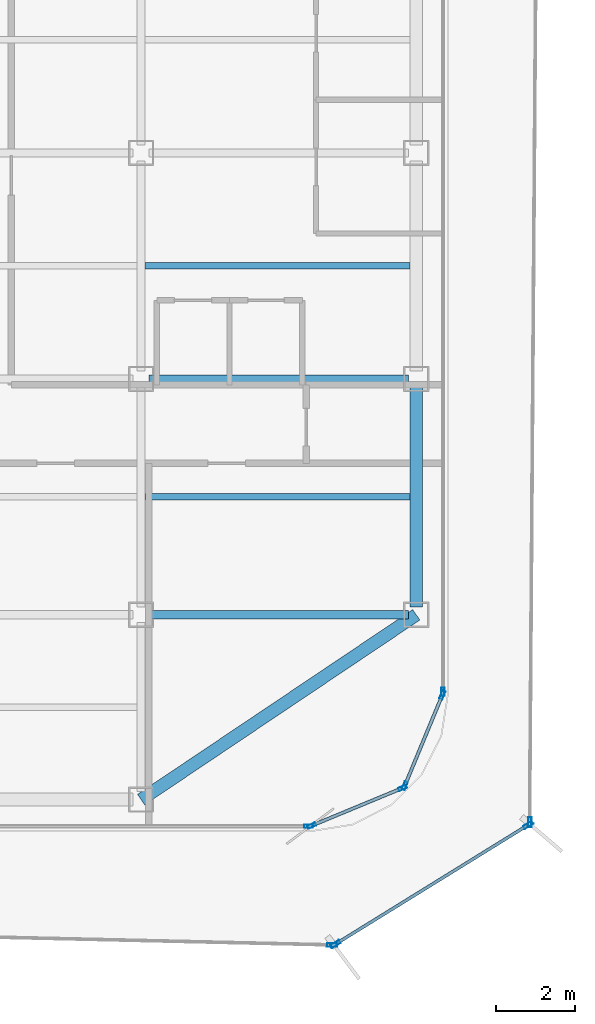
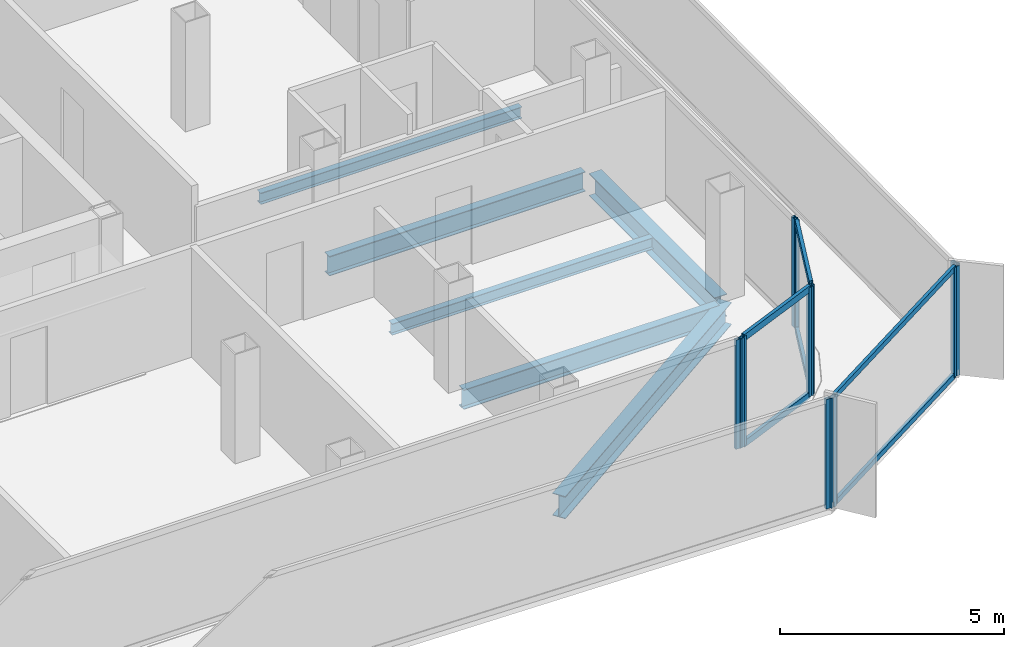
# One storey, part 4 of 15: 16 members, 6 beams, 7 elements without a shape of their own.
"""IFC4 building model written with IfcOpenShell, lengths in metres."""

from ifc_helpers import new_model, si_unit, direction, frame, origin, origin_2d, place, context, subcontext, project, spatial, hollow_rectangle, i_section, extrude, source, transform, mapped, material, layer, layer_set, material_profile, profile_set, type_object, element, aggregate, save


model = new_model("IFC4")

# Units and contexts
model_context = context("Model", 3, precision=1e-05, world=origin(), true_north=direction((0.0, 1.0)))
body_context = subcontext(model_context, "Body", "Model", "MODEL_VIEW")
ifc_project = project(units=[si_unit("LENGTHUNIT", "METRE"), si_unit("AREAUNIT", "SQUARE_METRE"), si_unit("VOLUMEUNIT", "CUBIC_METRE"), si_unit("PLANEANGLEUNIT", "RADIAN"), si_unit("MASSUNIT", "GRAM", prefix="KILO")], contexts=[model_context])

# Site, building, storey
site_placement = place(None, origin())
site = spatial("IfcSite", under=ifc_project, at=site_placement, CompositionType="ELEMENT")
building_placement = place(site_placement, origin())
building = spatial("IfcBuilding", under=site, at=building_placement, Name="Kolveth Station Tower", CompositionType="ELEMENT")
storey_placement = place(building_placement, frame((0.0, 0.0, 264.89990234375)))
storey = spatial("IfcBuildingStorey", under=building, at=storey_placement, Name="L76", CompositionType="ELEMENT", Elevation=264.89990234375)

# Beams
ifc_material_1 = material(Name="Steel S355", Category="steel")
ifc_material_profile_1 = material_profile(ifc_material_1, i_section(OverallWidth=0.323974609375, OverallDepth=0.611083984375, WebThickness=0.0126953125, FlangeThickness=0.01904296875, at=origin_2d()), Name="W610x155")
ifc_profile_set_1 = profile_set([ifc_material_profile_1], Name="Steel S355")
beam_type_1 = type_object("IfcBeamType", Name="Beam_SP2", PredefinedType="SPANDREL", material=ifc_profile_set_1)
shared_shape_1 = source(origin(), body_context, "Body", "SweptSolid", [
    extrude(i_section(OverallWidth=0.323974609375, OverallDepth=0.611083984375, WebThickness=0.0126953125, FlangeThickness=0.01904296875, at=origin_2d()), origin(), (0.0, 0.0, 1.0), 8.431396484375),
])
beam_1_placement = place(storey_placement, frame((34.0, 0.800048828125, -0.525390625), z_axis=(0.830223811004, 0.557430196206, 0.0), x_axis=(-0.557430196206, 0.830223811004, 0.0)))
element("IfcBeam", 1, at=beam_1_placement, inside=storey, type_object=beam_type_1, Name="L76 Corner Edge Girder BM-L76-CNR-SE", PredefinedType="SPANDREL", context=body_context, shape_type="MappedRepresentation", body=[
    mapped(shared_shape_1, transform((0.0, 0.0, 0.0), x_axis=(1.0, 0.0, 0.0), y_axis=(0.0, 1.0, 0.0), z_axis=(0.0, 0.0, 1.0), scale=1.0)),
])
shared_shape_2 = source(origin(), body_context, "Body", "SweptSolid", [
    extrude(i_section(OverallWidth=0.323974609375, OverallDepth=0.611083984375, WebThickness=0.0126953125, FlangeThickness=0.01904296875, at=origin_2d()), origin(), (0.0, 0.0, 1.0), 5.60009765625),
])
beam_2_placement = place(storey_placement, frame((41.0, 5.699951171875, -0.525390625), z_axis=(0.0, 1.0, 0.0), x_axis=(-1.0, 0.0, 0.0)))
element("IfcBeam", 2, at=beam_2_placement, inside=storey, type_object=beam_type_1, Name="L76 Perimeter Spandrel BM-L76-PE-1", PredefinedType="SPANDREL", context=body_context, shape_type="MappedRepresentation", body=[
    mapped(shared_shape_2, transform((0.0, 0.0, 0.0), x_axis=(1.0, 0.0, 0.0), y_axis=(0.0, 1.0, 0.0), z_axis=(0.0, 0.0, 1.0), scale=1.0)),
])
ifc_material_profile_2 = material_profile(ifc_material_1, i_section(OverallWidth=0.2099609375, OverallDepth=0.537109375, WebThickness=0.010986328125, FlangeThickness=0.017333984375, at=origin_2d()), Name="W530x101")
ifc_profile_set_2 = profile_set([ifc_material_profile_2], Name="Steel S355")
beam_type_2 = type_object("IfcBeamType", Name="Beam_B6", PredefinedType="BEAM", material=ifc_profile_set_2)
shared_shape_3 = source(origin(), body_context, "Body", "SweptSolid", [
    extrude(i_section(OverallWidth=0.2099609375, OverallDepth=0.537109375, WebThickness=0.010986328125, FlangeThickness=0.017333984375, at=origin_2d()), origin(), (0.0, 0.0, 1.0), 6.60009765625),
])
for number, where, z_axis, x_axis, name in (
    (3, (34.199951171875, 5.5, -0.48828125), (1.0, 0.0, 0.0), (0.0, 1.0, 0.0), "L76 Primary Girder BM-L76-GY55-5"),
    (4, (34.199951171875, 11.5, -0.48828125), (1.0, 0.0, 0.0), (0.0, 1.0, 0.0), "L76 Primary Girder BM-L76-GY115-5"),
):
    element("IfcBeam", number, at=place(storey_placement, frame(where, z_axis=z_axis, x_axis=x_axis)), inside=storey, type_object=beam_type_2, Name=name, PredefinedType="BEAM", context=body_context, shape_type="MappedRepresentation", body=[
        mapped(shared_shape_3, transform((0.0, 0.0, 0.0), x_axis=(1.0, 0.0, 0.0), y_axis=(0.0, 1.0, 0.0), z_axis=(0.0, 0.0, 1.0), scale=1.0)),
    ])
ifc_material_profile_3 = material_profile(ifc_material_1, i_section(OverallWidth=0.1650390625, OverallDepth=0.31005859375, WebThickness=0.005859375, FlangeThickness=0.009765625, at=origin_2d()), Name="W310x39")
ifc_profile_set_3 = profile_set([ifc_material_profile_3], Name="Steel S355")
beam_type_3 = type_object("IfcBeamType", Name="Beam_J3", PredefinedType="JOIST", material=ifc_profile_set_3)
shared_shape_4 = source(origin(), body_context, "Body", "SweptSolid", [
    extrude(i_section(OverallWidth=0.1650390625, OverallDepth=0.31005859375, WebThickness=0.005859375, FlangeThickness=0.009765625, at=origin_2d()), origin(), (0.0, 0.0, 1.0), 6.737060546875),
])
for number, where, z_axis, x_axis, name in (
    (5, (34.10302734375, 8.5, -0.375), (1.0, 0.0, 0.0), (0.0, 1.0, 0.0), "L76 Secondary Joist JST-L76-5-2"),
    (6, (34.10302734375, 14.375, -0.375), (1.0, 0.0, 0.0), (0.0, 1.0, 0.0), "L76 Secondary Joist JST-L76-5-3"),
):
    element("IfcBeam", number, at=place(storey_placement, frame(where, z_axis=z_axis, x_axis=x_axis)), inside=storey, type_object=beam_type_3, Name=name, PredefinedType="JOIST", context=body_context, shape_type="MappedRepresentation", body=[
        mapped(shared_shape_4, transform((0.0, 0.0, 0.0), x_axis=(1.0, 0.0, 0.0), y_axis=(0.0, 1.0, 0.0), z_axis=(0.0, 0.0, 1.0), scale=1.0)),
    ])

# Curtain wall, members
ifc_material_2 = material(Name="Black anodized aluminium 6063-T6 and dark solar glass", Category="aluminium")
ifc_layer_1 = layer(ifc_material_2, 0.159912109375)
ifc_layer_set_1 = layer_set([ifc_layer_1], Name="Black anodized aluminium 6063-T6 and dark solar glass")
curtain_wall_type_1 = type_object("IfcCurtainWallType", Name="OUTER SKIN CW-OS", PredefinedType="NOTDEFINED", material=ifc_layer_set_1)
curtain_wall_1_placement = place(storey_placement, origin())
curtain_wall_1 = element("IfcCurtainWall", 7, at=curtain_wall_1_placement, inside=storey, type_object=curtain_wall_type_1, Name="L76 Outer Ventilated Skin Curtain Wall 1", PredefinedType="NOTDEFINED")
ifc_material_3 = material(Name="Black anodized aluminium 6063-T6", Category="aluminium")
ifc_material_profile_4 = material_profile(ifc_material_3, hollow_rectangle(XDim=0.090087890625, YDim=0.260009765625, WallThickness=0.0048828125, at=origin_2d()), Name="ALU-90x260x5")
ifc_profile_set_4 = profile_set([ifc_material_profile_4], Name="Black anodized aluminium 6063-T6")
member_type_1 = type_object("IfcMemberType", Name="FIN MULLION ML-OS", PredefinedType="MULLION", material=ifc_profile_set_4)
shared_shape_5 = source(origin(), body_context, "Body", "SweptSolid", [
    extrude(hollow_rectangle(XDim=0.090087890625, YDim=0.260009765625, WallThickness=0.0048828125, at=origin_2d()), origin(), (0.0, 0.0, 1.0), 2.989990234375),
])
member_1_placement = place(storey_placement, frame((38.94287109375, -2.879150390625, 0.0), z_axis=(0.0, 0.0, 1.0), x_axis=(-0.525980836907, 0.850496419279, 0.0)))
member_1 = element("IfcMember", 8, at=member_1_placement, type_object=member_type_1, Name="CW-OS mullion 1", PredefinedType="MULLION", context=body_context, shape_type="MappedRepresentation", body=[
    mapped(shared_shape_5, transform((0.0, 0.0, 0.0), x_axis=(1.0, 0.0, 0.0), y_axis=(0.0, 1.0, 0.0), z_axis=(0.0, 0.0, 1.0), scale=1.0)),
])
member_2_placement = place(storey_placement, frame((43.84912109375, 0.155029296875, 0.0), z_axis=(0.0, 0.0, 1.0), x_axis=(-0.525980836907, 0.850496419279, 0.0)))
member_2 = element("IfcMember", 9, at=member_2_placement, type_object=member_type_1, Name="CW-OS mullion 2", PredefinedType="MULLION", context=body_context, shape_type="MappedRepresentation", body=[
    mapped(shared_shape_5, transform((0.0, 0.0, 0.0), x_axis=(1.0, 0.0, 0.0), y_axis=(0.0, 1.0, 0.0), z_axis=(0.0, 0.0, 1.0), scale=1.0)),
])

# Curtain wall, member
curtain_wall_2_placement = place(storey_placement, origin())
curtain_wall_2 = element("IfcCurtainWall", 10, at=curtain_wall_2_placement, inside=storey, type_object=curtain_wall_type_1, Name="L76 Outer Ventilated Skin Curtain Wall 2", PredefinedType="NOTDEFINED")
member_3_placement = place(storey_placement, frame((43.8876953125, 0.2236328125, 0.0), z_axis=(0.0, 0.0, 1.0), x_axis=(-0.999973767116, 0.007243278258, 0.0)))
member_3 = element("IfcMember", 11, at=member_3_placement, type_object=member_type_1, Name="CW-OS mullion 1", PredefinedType="MULLION", context=body_context, shape_type="MappedRepresentation", body=[
    mapped(shared_shape_5, transform((0.0, 0.0, 0.0), x_axis=(1.0, 0.0, 0.0), y_axis=(0.0, 1.0, 0.0), z_axis=(0.0, 0.0, 1.0), scale=1.0)),
])
aggregate(curtain_wall_2, [member_3])

curtain_wall_3_placement = place(storey_placement, origin())
curtain_wall_3 = element("IfcCurtainWall", 12, at=curtain_wall_3_placement, inside=storey, type_object=curtain_wall_type_1, Name="L76 Outer Ventilated Skin Curtain Wall 8", PredefinedType="NOTDEFINED")
member_4_placement = place(storey_placement, frame((38.859619140625, -2.90185546875, 0.0), z_axis=(0.0, 0.0, 1.0), x_axis=(0.022967516648, 0.999736211797, 0.0)))
member_4 = element("IfcMember", 13, at=member_4_placement, type_object=member_type_1, Name="CW-OS mullion 2", PredefinedType="MULLION", context=body_context, shape_type="MappedRepresentation", body=[
    mapped(shared_shape_5, transform((0.0, 0.0, 0.0), x_axis=(1.0, 0.0, 0.0), y_axis=(0.0, 1.0, 0.0), z_axis=(0.0, 0.0, 1.0), scale=1.0)),
])
aggregate(curtain_wall_3, [member_4])

# Curtain wall, members
ifc_material_4 = material(Name="Aluminium 6063-T6 and triple low-E dark glass", Category="aluminium")
ifc_layer_2 = layer(ifc_material_4, 0.199951171875)
ifc_layer_set_2 = layer_set([ifc_layer_2], Name="Aluminium 6063-T6 and triple low-E dark glass")
curtain_wall_type_2 = type_object("IfcCurtainWallType", Name="CurtainWall_CW-Z3", PredefinedType="NOTDEFINED", material=ifc_layer_set_2)
curtain_wall_4_placement = place(storey_placement, origin())
curtain_wall_4 = element("IfcCurtainWall", 14, at=curtain_wall_4_placement, inside=storey, type_object=curtain_wall_type_2, Name="L76 Inner Thermal Curtain Wall 1", PredefinedType="NOTDEFINED")
ifc_material_profile_5 = material_profile(ifc_material_3, hollow_rectangle(XDim=0.0849609375, YDim=0.215087890625, WallThickness=0.0048828125, at=origin_2d()), Name="ALU-85x215x5")
ifc_profile_set_5 = profile_set([ifc_material_profile_5], Name="Black anodized aluminium 6063-T6")
member_type_2 = type_object("IfcMemberType", Name="Mullion_ML3", PredefinedType="MULLION", material=ifc_profile_set_5)
shared_shape_6 = source(origin(), body_context, "Body", "SweptSolid", [
    extrude(hollow_rectangle(XDim=0.0849609375, YDim=0.215087890625, WallThickness=0.0048828125, at=origin_2d()), origin(), (0.0, 0.0, 1.0), 2.97998046875),
])
member_5_placement = place(storey_placement, frame((38.33935546875, 0.13623046875, 0.0), z_axis=(0.0, 0.0, 1.0), x_axis=(-0.382693194181, 0.923875488975, 0.0)))
member_5 = element("IfcMember", 15, at=member_5_placement, type_object=member_type_2, Name="CW-Z3 mullion 1", PredefinedType="MULLION", context=body_context, shape_type="MappedRepresentation", body=[
    mapped(shared_shape_6, transform((0.0, 0.0, 0.0), x_axis=(1.0, 0.0, 0.0), y_axis=(0.0, 1.0, 0.0), z_axis=(0.0, 0.0, 1.0), scale=1.0)),
])
member_6_placement = place(storey_placement, frame((40.650634765625, 1.09375, 0.0), z_axis=(0.0, 0.0, 1.0), x_axis=(-0.382693194181, 0.923875488975, 0.0)))
member_6 = element("IfcMember", 16, at=member_6_placement, type_object=member_type_2, Name="CW-Z3 mullion 2", PredefinedType="MULLION", context=body_context, shape_type="MappedRepresentation", body=[
    mapped(shared_shape_6, transform((0.0, 0.0, 0.0), x_axis=(1.0, 0.0, 0.0), y_axis=(0.0, 1.0, 0.0), z_axis=(0.0, 0.0, 1.0), scale=1.0)),
])

curtain_wall_5_placement = place(storey_placement, origin())
curtain_wall_5 = element("IfcCurtainWall", 17, at=curtain_wall_5_placement, inside=storey, type_object=curtain_wall_type_2, Name="L76 Inner Thermal Curtain Wall 2", PredefinedType="NOTDEFINED")
member_7_placement = place(storey_placement, frame((40.706298828125, 1.149169921875, 0.0), z_axis=(0.0, 0.0, 1.0), x_axis=(-0.923875488975, 0.382693194181, 0.0)))
member_7 = element("IfcMember", 18, at=member_7_placement, type_object=member_type_2, Name="CW-Z3 mullion 1", PredefinedType="MULLION", context=body_context, shape_type="MappedRepresentation", body=[
    mapped(shared_shape_6, transform((0.0, 0.0, 0.0), x_axis=(1.0, 0.0, 0.0), y_axis=(0.0, 1.0, 0.0), z_axis=(0.0, 0.0, 1.0), scale=1.0)),
])
member_8_placement = place(storey_placement, frame((41.663818359375, 3.460693359375, 0.0), z_axis=(0.0, 0.0, 1.0), x_axis=(-0.923875488975, 0.382693194181, 0.0)))
member_8 = element("IfcMember", 19, at=member_8_placement, type_object=member_type_2, Name="CW-Z3 mullion 2", PredefinedType="MULLION", context=body_context, shape_type="MappedRepresentation", body=[
    mapped(shared_shape_6, transform((0.0, 0.0, 0.0), x_axis=(1.0, 0.0, 0.0), y_axis=(0.0, 1.0, 0.0), z_axis=(0.0, 0.0, 1.0), scale=1.0)),
])

# Curtain wall, member
curtain_wall_6_placement = place(storey_placement, origin())
curtain_wall_6 = element("IfcCurtainWall", 20, at=curtain_wall_6_placement, inside=storey, type_object=curtain_wall_type_2, Name="L76 Inner Thermal Curtain Wall 3", PredefinedType="NOTDEFINED")
member_9_placement = place(storey_placement, frame((41.679931640625, 3.54248046875, 0.0), z_axis=(0.0, 0.0, 1.0), x_axis=(-1.0, 0.0, 0.0)))
member_9 = element("IfcMember", 21, at=member_9_placement, type_object=member_type_2, Name="CW-Z3 mullion 1", PredefinedType="MULLION", context=body_context, shape_type="MappedRepresentation", body=[
    mapped(shared_shape_6, transform((0.0, 0.0, 0.0), x_axis=(1.0, 0.0, 0.0), y_axis=(0.0, 1.0, 0.0), z_axis=(0.0, 0.0, 1.0), scale=1.0)),
])
aggregate(curtain_wall_6, [member_9])

curtain_wall_7_placement = place(storey_placement, origin())
curtain_wall_7 = element("IfcCurtainWall", 22, at=curtain_wall_7_placement, inside=storey, type_object=curtain_wall_type_2, Name="L76 Inner Thermal Curtain Wall 12", PredefinedType="NOTDEFINED")
member_10_placement = place(storey_placement, frame((38.257568359375, 0.1201171875, 0.0), z_axis=(0.0, 0.0, 1.0), x_axis=(0.0, 1.0, 0.0)))
member_10 = element("IfcMember", 23, at=member_10_placement, type_object=member_type_2, Name="CW-Z3 mullion 2", PredefinedType="MULLION", context=body_context, shape_type="MappedRepresentation", body=[
    mapped(shared_shape_6, transform((0.0, 0.0, 0.0), x_axis=(1.0, 0.0, 0.0), y_axis=(0.0, 1.0, 0.0), z_axis=(0.0, 0.0, 1.0), scale=1.0)),
])
aggregate(curtain_wall_7, [member_10])

# Member
ifc_material_profile_6 = material_profile(ifc_material_3, hollow_rectangle(XDim=0.0849609375, YDim=0.179931640625, WallThickness=0.0048828125, at=origin_2d()), Name="ALU-85x180x5")
ifc_profile_set_6 = profile_set([ifc_material_profile_6], Name="Black anodized aluminium 6063-T6")
member_type_3 = type_object("IfcMemberType", Name="Transom_TR3", PredefinedType="USERDEFINED", material=ifc_profile_set_6)
shared_shape_7 = source(origin(), body_context, "Body", "SweptSolid", [
    extrude(hollow_rectangle(XDim=0.0849609375, YDim=0.179931640625, WallThickness=0.0048828125, at=origin_2d()), origin(), (0.0, 0.0, 1.0), 2.4169921875),
])
member_11_placement = place(storey_placement, frame((38.37841796875, 0.152587890625, 0.04248046875), z_axis=(0.923908507952, 0.382613471971, 0.0), x_axis=(-0.382613471971, 0.923908507952, 0.0)))
member_11 = element("IfcMember", 24, at=member_11_placement, type_object=member_type_3, Name="CW-Z3 transom 1.1", ObjectType="TRANSOM", PredefinedType="USERDEFINED", context=body_context, shape_type="MappedRepresentation", body=[
    mapped(shared_shape_7, transform((0.0, 0.0, 0.0), x_axis=(1.0, 0.0, 0.0), y_axis=(0.0, 1.0, 0.0), z_axis=(0.0, 0.0, 1.0), scale=1.0)),
])

member_12_placement = place(storey_placement, frame((38.37841796875, 0.152587890625, 2.9375), z_axis=(0.923908507952, 0.382613471971, 0.0), x_axis=(-0.382613471971, 0.923908507952, 0.0)))
member_12 = element("IfcMember", 25, at=member_12_placement, type_object=member_type_3, Name="CW-Z3 transom 1.2", ObjectType="TRANSOM", PredefinedType="USERDEFINED", context=body_context, shape_type="MappedRepresentation", body=[
    mapped(shared_shape_7, transform((0.0, 0.0, 0.0), x_axis=(1.0, 0.0, 0.0), y_axis=(0.0, 1.0, 0.0), z_axis=(0.0, 0.0, 1.0), scale=1.0)),
])

aggregate(curtain_wall_4, [member_5, member_6, member_11, member_12])

member_13_placement = place(storey_placement, frame((40.722412109375, 1.1884765625, 0.04248046875), z_axis=(0.382735401206, 0.9238580046, 0.0), x_axis=(-0.9238580046, 0.382735401206, 0.0)))
member_13 = element("IfcMember", 26, at=member_13_placement, type_object=member_type_3, Name="CW-Z3 transom 1.1", ObjectType="TRANSOM", PredefinedType="USERDEFINED", context=body_context, shape_type="MappedRepresentation", body=[
    mapped(shared_shape_7, transform((0.0, 0.0, 0.0), x_axis=(1.0, 0.0, 0.0), y_axis=(0.0, 1.0, 0.0), z_axis=(0.0, 0.0, 1.0), scale=1.0)),
])

member_14_placement = place(storey_placement, frame((40.722412109375, 1.1884765625, 2.9375), z_axis=(0.382735401206, 0.9238580046, 0.0), x_axis=(-0.9238580046, 0.382735401206, 0.0)))
member_14 = element("IfcMember", 27, at=member_14_placement, type_object=member_type_3, Name="CW-Z3 transom 1.2", ObjectType="TRANSOM", PredefinedType="USERDEFINED", context=body_context, shape_type="MappedRepresentation", body=[
    mapped(shared_shape_7, transform((0.0, 0.0, 0.0), x_axis=(1.0, 0.0, 0.0), y_axis=(0.0, 1.0, 0.0), z_axis=(0.0, 0.0, 1.0), scale=1.0)),
])

aggregate(curtain_wall_5, [member_7, member_8, member_13, member_14])

ifc_material_profile_7 = material_profile(ifc_material_3, hollow_rectangle(XDim=0.080078125, YDim=0.14990234375, WallThickness=0.0048828125, at=origin_2d()), Name="ALU-80x150x5")
ifc_profile_set_7 = profile_set([ifc_material_profile_7], Name="Black anodized aluminium 6063-T6")
member_type_4 = type_object("IfcMemberType", Name="Transom_TR-OS", PredefinedType="USERDEFINED", material=ifc_profile_set_7)
shared_shape_8 = source(origin(), body_context, "Body", "SweptSolid", [
    extrude(hollow_rectangle(XDim=0.080078125, YDim=0.14990234375, WallThickness=0.0048828125, at=origin_2d()), origin(), (0.0, 0.0, 1.0), 5.678466796875),
])
member_15_placement = place(storey_placement, frame((38.981201171875, -2.85546875, 0.0400390625), z_axis=(0.850495960723, 0.525981578379, 0.0), x_axis=(-0.525981578379, 0.850495960723, 0.0)))
member_15 = element("IfcMember", 28, at=member_15_placement, type_object=member_type_4, Name="CW-OS transom 1.1", ObjectType="TRANSOM", PredefinedType="USERDEFINED", context=body_context, shape_type="MappedRepresentation", body=[
    mapped(shared_shape_8, transform((0.0, 0.0, 0.0), x_axis=(1.0, 0.0, 0.0), y_axis=(0.0, 1.0, 0.0), z_axis=(0.0, 0.0, 1.0), scale=1.0)),
])

member_16_placement = place(storey_placement, frame((38.981201171875, -2.85546875, 2.9501953125), z_axis=(0.850495960723, 0.525981578379, 0.0), x_axis=(-0.525981578379, 0.850495960723, 0.0)))
member_16 = element("IfcMember", 29, at=member_16_placement, type_object=member_type_4, Name="CW-OS transom 1.2", ObjectType="TRANSOM", PredefinedType="USERDEFINED", context=body_context, shape_type="MappedRepresentation", body=[
    mapped(shared_shape_8, transform((0.0, 0.0, 0.0), x_axis=(1.0, 0.0, 0.0), y_axis=(0.0, 1.0, 0.0), z_axis=(0.0, 0.0, 1.0), scale=1.0)),
])

aggregate(curtain_wall_1, [member_1, member_2, member_15, member_16])

save(model, "model.ifc")
